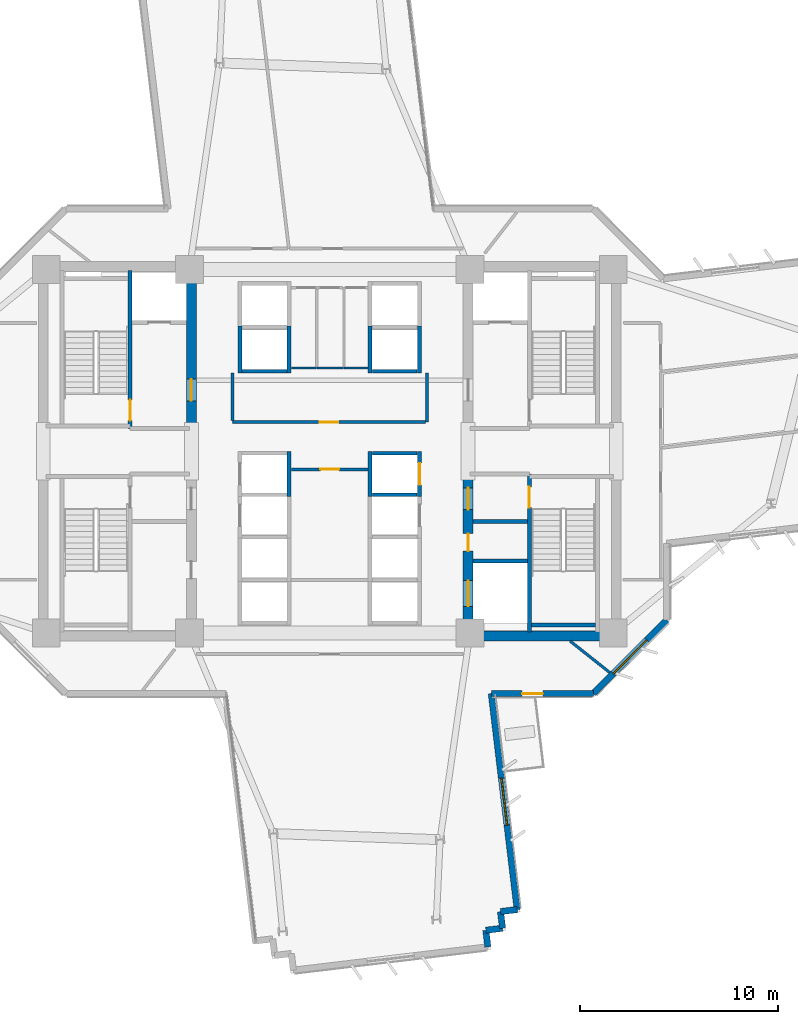
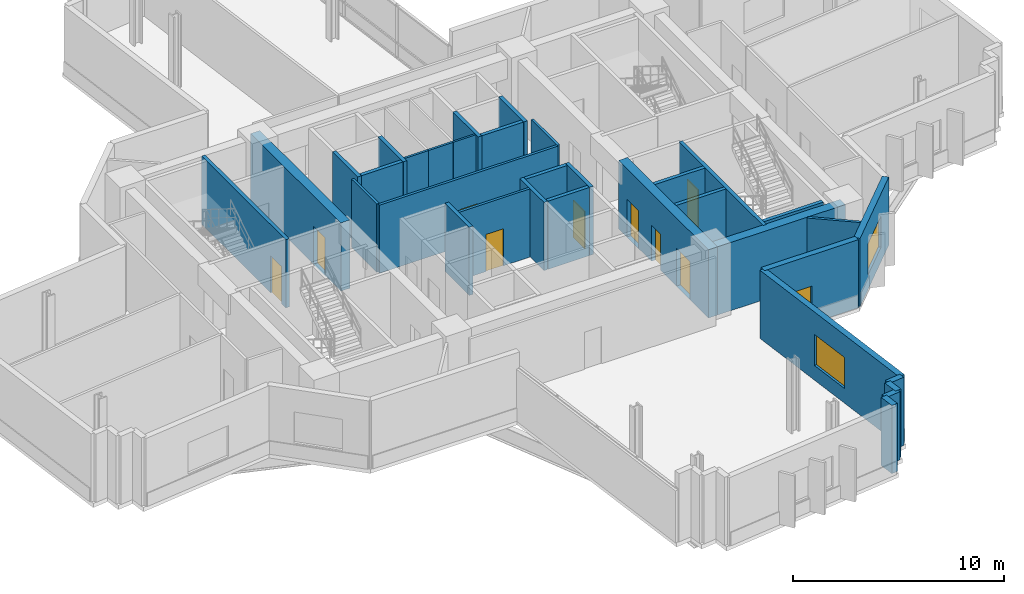
# One storey, part 7 of 15: 34 walls, 10 doors, 2 windows, 12 openings.
"""IFC4 building model written with IfcOpenShell, lengths in metres."""

import ifcopenshell
import ifcopenshell.guid

model = None  # the IFC model being written
_history = None  # IfcOwnerHistory: only IFC2X3 demands one
_inside = {}  # id of a spatial element -> (the spatial element, [elements in it])
_under = {}  # id of a project, library or spatial element -> (it, [spatial elements below it])
_declared = {}  # id of a project -> (the project, [libraries it declares])
_typed = {}  # id of a type object -> (the type object, [elements of that type])
_made_of = {}  # id of a material, layer set ... -> (it, [elements and type objects made of it])


def new_model(schema):
    """Start an empty IFC model of exactly this schema.

    Asked for "IFC4X3", IfcOpenShell would pick the latest addendum, in which some entities
    have other attributes; the version numbers below select the first issue.
    IFC2X3 requires an IfcOwnerHistory on every rooted entity: one is made here for all.
    """
    global model, _history
    if schema == "IFC4X3":
        model = ifcopenshell.file(schema_version=(4, 3, 0, 0))
    else:
        model = ifcopenshell.file(schema=schema)
    _inside.clear()
    _under.clear()
    _declared.clear()
    _typed.clear()
    _made_of.clear()
    _history = None
    if model.schema == "IFC2X3":
        org = make("IfcOrganization", Name="unknown")
        user = make(
            "IfcPersonAndOrganization",
            ThePerson=make("IfcPerson", FamilyName="unknown"),
            TheOrganization=org,
        )
        app = make(
            "IfcApplication",
            ApplicationDeveloper=org,
            Version="unknown",
            ApplicationFullName="unknown",
            ApplicationIdentifier="unknown",
        )
        _history = make(
            "IfcOwnerHistory",
            OwningUser=user,
            OwningApplication=app,
            ChangeAction="ADDED",
            CreationDate=0,
        )
    return model


def make(cls, **values):
    """One entity of the class cls with the attributes given. An attribute that is None is left unset."""
    return model.create_entity(
        cls, **{name: value for name, value in values.items() if value is not None}
    )


def rooted(cls, **values):
    """An entity with a GlobalId (a new one), such as an element, a storey or a relation."""
    return make(cls, GlobalId=ifcopenshell.guid.new(), OwnerHistory=_history, **values)


def si_unit(unit_type, name, prefix=None):
    """IfcSIUnit, for example si_unit("LENGTHUNIT", "METRE", prefix="MILLI")."""
    return make("IfcSIUnit", UnitType=unit_type, Prefix=prefix, Name=name)


def assignment(units):
    """IfcUnitAssignment: the units of a project."""
    return None if units is None else make("IfcUnitAssignment", Units=units)


def point(xyz):
    """IfcCartesianPoint."""
    return None if xyz is None else make("IfcCartesianPoint", Coordinates=xyz)


def direction(xyz):
    """IfcDirection."""
    return None if xyz is None else make("IfcDirection", DirectionRatios=xyz)


def frame(location, z_axis=None, x_axis=None):
    """IfcAxis2Placement3D, a coordinate frame: its origin and axes. An axis left out is left unset."""
    return make(
        "IfcAxis2Placement3D",
        Location=point(location),
        Axis=direction(z_axis),
        RefDirection=direction(x_axis),
    )


def frame_2d(location, x_axis=None):
    """IfcAxis2Placement2D, a coordinate frame in the plane: its origin and x axis."""
    return make(
        "IfcAxis2Placement2D", Location=point(location), RefDirection=direction(x_axis)
    )


def origin():
    """The frame at (0, 0, 0) with its axes left unset."""
    return frame((0.0, 0.0, 0.0))


def place(relative_to, where):
    """IfcLocalPlacement: puts the frame where relative to a parent placement (None: the world)."""
    return make(
        "IfcLocalPlacement", PlacementRelTo=relative_to, RelativePlacement=where
    )


def context(
    kind, dimensions, precision=None, world=None, true_north=None, identifier=None
):
    """IfcGeometricRepresentationContext, for example the 3D "Model" context."""
    return make(
        "IfcGeometricRepresentationContext",
        ContextIdentifier=identifier,
        ContextType=kind,
        CoordinateSpaceDimension=dimensions,
        Precision=precision,
        WorldCoordinateSystem=world,
        TrueNorth=true_north,
    )


def subcontext(parent, identifier, kind, view, scale=None):
    """IfcGeometricRepresentationSubContext, for example "Body" below "Model"."""
    return make(
        "IfcGeometricRepresentationSubContext",
        ContextIdentifier=identifier,
        ContextType=kind,
        ParentContext=parent,
        TargetScale=scale,
        TargetView=view,
    )


def project(units=None, contexts=None):
    """IfcProject with its units and contexts."""
    return rooted(
        "IfcProject",
        Name="project",
        RepresentationContexts=contexts,
        UnitsInContext=assignment(units),
    )


def spatial(cls, under=None, at=None, **own):
    """A site, building, storey or space (cls), placed at a placement, below another one or the project."""
    s = rooted(cls, ObjectPlacement=at, **own)
    if under is not None:
        _under.setdefault(under.id(), (under, []))[1].append(s)
    return s


def profile(cls, at=None, kind="AREA", **sizes):
    """A parametric profile (cls). Its sizes go by their IFC names, for example OverallWidth=200.0."""
    return make(cls, ProfileType=kind, Position=at, **sizes)


def rectangle(**sizes):
    """IfcRectangleProfileDef."""
    return profile("IfcRectangleProfileDef", **sizes)


def extrude(swept, where, along, depth):
    """IfcExtrudedAreaSolid: the profile swept, set in the frame where, extruded along a direction by depth."""
    return make(
        "IfcExtrudedAreaSolid",
        SweptArea=swept,
        Position=where,
        ExtrudedDirection=direction(along),
        Depth=depth,
    )


def shape(context_of_items, identifier, shape_type, items):
    """IfcShapeRepresentation: the items that make up one representation, for example the "Body"."""
    return make(
        "IfcShapeRepresentation",
        ContextOfItems=context_of_items,
        RepresentationIdentifier=identifier,
        RepresentationType=shape_type,
        Items=items,
    )


def source(mapping_origin, context_of_items, identifier, shape_type, items):
    """IfcRepresentationMap: a shape defined once, which mapped items show again and again."""
    return make(
        "IfcRepresentationMap",
        MappingOrigin=mapping_origin,
        MappedRepresentation=shape(context_of_items, identifier, shape_type, items),
    )


def transform(
    local_origin,
    x_axis=None,
    y_axis=None,
    z_axis=None,
    scale=None,
    scale2=None,
    scale3=None,
    uniform=True,
):
    """IfcCartesianTransformationOperator3D, or its non-uniform kind. x_axis, y_axis, z_axis: its Axis1, 2, 3."""
    if uniform:
        return make(
            "IfcCartesianTransformationOperator3D",
            Axis1=direction(x_axis),
            Axis2=direction(y_axis),
            LocalOrigin=point(local_origin),
            Scale=scale,
            Axis3=direction(z_axis),
        )
    return make(
        "IfcCartesianTransformationOperator3DnonUniform",
        Axis1=direction(x_axis),
        Axis2=direction(y_axis),
        LocalOrigin=point(local_origin),
        Scale=scale,
        Axis3=direction(z_axis),
        Scale2=scale2,
        Scale3=scale3,
    )


def mapped(mapping_source, mapping_target):
    """IfcMappedItem: shows the shape of a source again, moved by a transform."""
    return make(
        "IfcMappedItem", MappingSource=mapping_source, MappingTarget=mapping_target
    )


def material(Name=None, Category=None):
    """IfcMaterial."""
    return make("IfcMaterial", Name=Name, Category=Category)


def layer(
    of_material, thickness, ventilated=None, Name=None, Category=None, Priority=None
):
    """IfcMaterialLayer: one layer of a wall or slab, of a material (None: an air gap)."""
    return make(
        "IfcMaterialLayer",
        Material=of_material,
        LayerThickness=thickness,
        IsVentilated=ventilated,
        Name=Name,
        Category=Category,
        Priority=Priority,
    )


def layer_set(layers, Name=None):
    """IfcMaterialLayerSet."""
    return make("IfcMaterialLayerSet", MaterialLayers=layers, LayerSetName=Name)


def made_of(thing, what):
    """Note that an element or type object is made of a material, layer set ...; save() writes the relation."""
    if what is not None:
        _made_of.setdefault(what.id(), (what, []))[1].append(thing)
    return thing


def type_object(cls, material=None, **own):
    """A type object (cls), such as IfcWallType, which elements share."""
    return made_of(rooted(cls, **own), material)


def element(
    cls,
    number,
    at=None,
    inside=None,
    cuts=None,
    type_object=None,
    material=None,
    context=None,
    identifier="Body",
    shape_type=None,
    held_by="IfcProductDefinitionShape",
    body=None,
    shapes=None,
    **own,
):
    """One element of the class cls, such as IfcWall. Its Tag is "e" and its number.

    at: its placement. inside: the storey or other place that contains it. cuts: it is an
    opening in that element (IfcRelVoidsElement). A single representation is given by context,
    identifier, shape_type and body (its items); several are given by shapes. held_by: the class
    of the entity that holds the representations. save() writes the other relations.
    """
    e = rooted(cls, Tag="e%d" % number, ObjectPlacement=at, **own)
    if body is not None:
        shapes = [shape(context, identifier, shape_type, body)]
    if shapes is not None:
        e.Representation = make(held_by, Representations=shapes)
    if inside is not None:
        _inside.setdefault(inside.id(), (inside, []))[1].append(e)
    if cuts is not None:
        rooted(
            "IfcRelVoidsElement", RelatingBuildingElement=cuts, RelatedOpeningElement=e
        )
    if type_object is not None:
        _typed.setdefault(type_object.id(), (type_object, []))[1].append(e)
    return made_of(e, material)


def fill(opening, filler):
    """IfcRelFillsElement: the door or window that sits in an opening."""
    return rooted(
        "IfcRelFillsElement",
        RelatingOpeningElement=opening,
        RelatedBuildingElement=filler,
    )


def aggregate(whole, parts):
    """IfcRelAggregates: a whole, such as a stair, and the parts it consists of."""
    return rooted("IfcRelAggregates", RelatingObject=whole, RelatedObjects=parts)


def save(model, path):
    """Write the relations noted so far, then the file.

    IfcRelAggregates (storeys below a building ...), IfcRelContainedInSpatialStructure (elements
    in a storey), IfcRelDefinesByType, IfcRelAssociatesMaterial and IfcRelDeclares: one each for
    every whole, place, type object, material and project.
    """
    for whole, parts in _under.values():
        aggregate(whole, parts)
    for where, things in _inside.values():
        rooted(
            "IfcRelContainedInSpatialStructure",
            RelatedElements=things,
            RelatingStructure=where,
        )
    for kind, things in _typed.values():
        rooted("IfcRelDefinesByType", RelatedObjects=things, RelatingType=kind)
    for what, things in _made_of.values():
        rooted("IfcRelAssociatesMaterial", RelatedObjects=things, RelatingMaterial=what)
    for by, libraries in _declared.values():
        rooted("IfcRelDeclares", RelatingContext=by, RelatedDefinitions=libraries)
    model.write(path)


model = new_model("IFC4")

# Units and contexts
model_context = context("Model", 3, precision=1e-05, world=origin(), true_north=direction((0.0, 1.0)))
body_context = subcontext(model_context, "Body", "Model", "MODEL_VIEW")
ifc_project = project(units=[si_unit("LENGTHUNIT", "METRE"), si_unit("AREAUNIT", "SQUARE_METRE"), si_unit("VOLUMEUNIT", "CUBIC_METRE"), si_unit("PLANEANGLEUNIT", "RADIAN"), si_unit("MASSUNIT", "GRAM", prefix="KILO")], contexts=[model_context])

# Site, building, storey
site_placement = place(None, origin())
site = spatial("IfcSite", under=ifc_project, at=site_placement, CompositionType="ELEMENT")
building_placement = place(site_placement, origin())
building = spatial("IfcBuilding", under=site, at=building_placement, Name="Zahravan Cultural Tower", CompositionType="ELEMENT")
storey_placement = place(building_placement, frame((0.0, 0.0, 104.699951171875)))
storey = spatial("IfcBuildingStorey", under=building, at=storey_placement, Name="L23", CompositionType="ELEMENT", Elevation=104.699951171875)

# Wall, opening, door
ifc_material_1 = material(Name="Concrete C60/75", Category="concrete")
ifc_layer_1 = layer(ifc_material_1, 0.5)
ifc_layer_set_1 = layer_set([ifc_layer_1], Name="Concrete C60/75")
wall_type_1 = type_object("IfcWallType", Name="CW-SHEAR-500-C60", PredefinedType="SHEAR", material=ifc_layer_set_1)
wall_1_placement = place(storey_placement, frame((29.0, 28.050048828125, 0.0), z_axis=(0.0, 0.0, 1.0), x_axis=(0.0, 1.0, 0.0)))
wall_1 = element("IfcWall", 1, at=wall_1_placement, inside=storey, type_object=wall_type_1, Name="L23 Core Shear Wall CW-W-EN-L23", PredefinedType="SHEAR", context=body_context, shape_type="SweptSolid", body=[
    extrude(rectangle(XDim=8.550048828125, YDim=0.5, at=frame_2d((4.27490234375, 0.0))), origin(), (0.0, 0.0, 1.0), 3.949951171875),
])
opening_1_placement = place(wall_1_placement, frame((1.5, 0.0, 0.0)))
opening_1 = element("IfcOpeningElement", 2, at=opening_1_placement, cuts=wall_1, Name="Opening D-L23-05", PredefinedType="OPENING", context=body_context, shape_type="SweptSolid", body=[
    extrude(rectangle(XDim=1.10009765625, YDim=2.199951171875, at=frame_2d((0.550048828125, 1.10009765625))), frame((0.0, 0.260009765625, 0.0), z_axis=(0.0, -1.0, 0.0), x_axis=(1.0, 0.0, 0.0)), (0.0, 0.0, 1.0), 0.52001953125),
])
ifc_material_2 = material(Name="Steel ASTM A572 Grade 50", Category="steel")
door_type_1 = type_object("IfcDoorType", Name="DR-LOBBY-1100", OperationType="NOTDEFINED", PredefinedType="DOOR", material=ifc_material_2)
shared_shape_1 = source(origin(), body_context, "Body", "SweptSolid", [
    extrude(rectangle(XDim=1.10009765625, YDim=2.199951171875, at=frame_2d((0.550048828125, 1.10009765625))), frame((0.0, 0.02490234375, 0.0), z_axis=(0.0, -1.0, 0.0), x_axis=(1.0, 0.0, 0.0)), (0.0, 0.0, 1.0), 0.050048828125),
])
door_1_placement = place(opening_1_placement, origin())
door_1 = element("IfcDoor", 3, at=door_1_placement, inside=storey, type_object=door_type_1, Name="L23 Door D-L23-05", OperationType="SINGLE_SWING_RIGHT", OverallHeight=2.199951171875, OverallWidth=1.10009765625, PredefinedType="DOOR", context=body_context, shape_type="MappedRepresentation", body=[
    mapped(shared_shape_1, transform((0.0, 0.0, 0.0), x_axis=(1.0, 0.0, 0.0), y_axis=(0.0, 1.0, 0.0), z_axis=(0.0, 0.0, 1.0), scale=1.0)),
])
fill(opening_1, door_1)

# Wall, openings, doors
wall_2_placement = place(storey_placement, frame((43.0, 17.39990234375, 0.0), z_axis=(0.0, 0.0, 1.0), x_axis=(0.0, 1.0, 0.0)))
wall_2 = element("IfcWall", 4, at=wall_2_placement, inside=storey, type_object=wall_type_1, Name="L23 Core Shear Wall CW-E-WS-L23", PredefinedType="SHEAR", context=body_context, shape_type="SweptSolid", body=[
    extrude(rectangle(XDim=8.550048828125, YDim=0.5, at=frame_2d((4.27490234375, 0.0))), origin(), (0.0, 0.0, 1.0), 3.949951171875),
])
opening_2_placement = place(wall_2_placement, frame((6.64990234375, 0.0, 0.0)))
opening_2 = element("IfcOpeningElement", 5, at=opening_2_placement, cuts=wall_2, Name="Opening D-L23-08", PredefinedType="OPENING", context=body_context, shape_type="SweptSolid", body=[
    extrude(rectangle(XDim=1.10009765625, YDim=2.199951171875, at=frame_2d((0.550048828125, 1.10009765625))), frame((0.0, 0.260009765625, 0.0), z_axis=(0.0, -1.0, 0.0), x_axis=(1.0, 0.0, 0.0)), (0.0, 0.0, 1.0), 0.52001953125),
])
opening_3_placement = place(wall_2_placement, frame((1.75, 0.0, 0.0)))
opening_3 = element("IfcOpeningElement", 6, at=opening_3_placement, cuts=wall_2, Name="Opening LD-L23-03", PredefinedType="OPENING", context=body_context, shape_type="SweptSolid", body=[
    extrude(rectangle(XDim=1.300048828125, YDim=2.199951171875, at=frame_2d((0.64990234375, 1.10009765625))), frame((0.0, 0.260009765625, 0.0), z_axis=(0.0, -1.0, 0.0), x_axis=(1.0, 0.0, 0.0)), (0.0, 0.0, 1.0), 0.52001953125),
])
opening_4_placement = place(wall_2_placement, frame((4.550048828125, 0.0, 0.0)))
opening_4 = element("IfcOpeningElement", 7, at=opening_4_placement, cuts=wall_2, Name="Opening D-L23-10", PredefinedType="OPENING", context=body_context, shape_type="SweptSolid", body=[
    extrude(rectangle(XDim=0.8798828125, YDim=2.10009765625, at=frame_2d((0.43994140625, 1.050048828125))), frame((0.0, 0.260009765625, 0.0), z_axis=(0.0, -1.0, 0.0), x_axis=(1.0, 0.0, 0.0)), (0.0, 0.0, 1.0), 0.52001953125),
])
door_2_placement = place(opening_2_placement, origin())
door_2 = element("IfcDoor", 8, at=door_2_placement, inside=storey, type_object=door_type_1, Name="L23 Door D-L23-08", OperationType="SINGLE_SWING_LEFT", OverallHeight=2.199951171875, OverallWidth=1.10009765625, PredefinedType="DOOR", context=body_context, shape_type="MappedRepresentation", body=[
    mapped(shared_shape_1, transform((0.0, 0.0, 0.0), x_axis=(1.0, 0.0, 0.0), y_axis=(0.0, 1.0, 0.0), z_axis=(0.0, 0.0, 1.0), scale=1.0)),
])
fill(opening_2, door_2)
door_type_2 = type_object("IfcDoorType", Name="DR-LIFT-1300", OperationType="DOUBLE_DOOR_SLIDING", PredefinedType="DOOR", material=ifc_material_2)
shared_shape_2 = source(origin(), body_context, "Body", "SweptSolid", [
    extrude(rectangle(XDim=1.300048828125, YDim=2.199951171875, at=frame_2d((0.64990234375, 1.10009765625))), frame((0.0, 0.02490234375, 0.0), z_axis=(0.0, -1.0, 0.0), x_axis=(1.0, 0.0, 0.0)), (0.0, 0.0, 1.0), 0.050048828125),
])
door_3_placement = place(opening_3_placement, origin())
door_3 = element("IfcDoor", 9, at=door_3_placement, inside=storey, type_object=door_type_2, Name="L23 Door LD-L23-03", OperationType="DOUBLE_DOOR_SLIDING", OverallHeight=2.199951171875, OverallWidth=1.300048828125, PredefinedType="DOOR", context=body_context, shape_type="MappedRepresentation", body=[
    mapped(shared_shape_2, transform((0.0, 0.0, 0.0), x_axis=(1.0, 0.0, 0.0), y_axis=(0.0, 1.0, 0.0), z_axis=(0.0, 0.0, 1.0), scale=1.0)),
])
fill(opening_3, door_3)
door_type_3 = type_object("IfcDoorType", Name="DR-SVC-880", OperationType="NOTDEFINED", PredefinedType="DOOR", material=ifc_material_2)
shared_shape_3 = source(origin(), body_context, "Body", "SweptSolid", [
    extrude(rectangle(XDim=0.8798828125, YDim=2.10009765625, at=frame_2d((0.43994140625, 1.050048828125))), frame((0.0, 0.02490234375, 0.0), z_axis=(0.0, -1.0, 0.0), x_axis=(1.0, 0.0, 0.0)), (0.0, 0.0, 1.0), 0.050048828125),
])
door_4_placement = place(opening_4_placement, origin())
door_4 = element("IfcDoor", 10, at=door_4_placement, inside=storey, type_object=door_type_3, Name="L23 Door D-L23-10", OperationType="SINGLE_SWING_LEFT", OverallHeight=2.10009765625, OverallWidth=0.8798828125, PredefinedType="DOOR", context=body_context, shape_type="MappedRepresentation", body=[
    mapped(shared_shape_3, transform((0.0, 0.0, 0.0), x_axis=(1.0, 0.0, 0.0), y_axis=(0.0, 1.0, 0.0), z_axis=(0.0, 0.0, 1.0), scale=1.0)),
])
fill(opening_4, door_4)

# Wall, opening, window
ifc_material_3 = material(Name="Precast concrete C40/50", Category="concrete")
ifc_layer_2 = layer(ifc_material_3, 0.320068359375)
ifc_layer_set_2 = layer_set([ifc_layer_2], Name="Precast concrete C40/50")
wall_type_2 = type_object("IfcWallType", Name="EW-TC-320", PredefinedType="SOLIDWALL", material=ifc_layer_set_2)
wall_3_placement = place(storey_placement, frame((53.06005859375, 18.4580078125, 0.0), z_axis=(0.0, 0.0, 1.0), x_axis=(-0.707106781187, -0.707106781187, 0.0)))
wall_3 = element("IfcWall", 11, at=wall_3_placement, inside=storey, type_object=wall_type_2, Name="L23 Exterior Masonry Frame Wall 13", PredefinedType="SOLIDWALL", context=body_context, shape_type="SweptSolid", body=[
    extrude(rectangle(XDim=5.258056640625, YDim=0.320068359375, at=frame_2d((2.62890625, 0.0))), origin(), (0.0, 0.0, 1.0), 3.949951171875),
])
opening_5_placement = place(wall_3_placement, frame((1.428955078125, 0.0, 0.85009765625)))
opening_5 = element("IfcOpeningElement", 12, at=opening_5_placement, cuts=wall_3, Name="Opening WN-01", PredefinedType="OPENING", context=body_context, shape_type="SweptSolid", body=[
    extrude(rectangle(XDim=2.39990234375, YDim=1.800048828125, at=frame_2d((1.199951171875, 0.89990234375))), frame((0.0, 0.169921875, 0.0), z_axis=(0.0, -1.0, 0.0), x_axis=(1.0, 0.0, 0.0)), (0.0, 0.0, 1.0), 0.340087890625),
])
ifc_material_4 = material(Name="Low-E solar-control double glazing", Category="glass")
window_type = type_object("IfcWindowType", Name="WN-REC-2400X1800", PartitioningType="DOUBLE_PANEL_VERTICAL", PredefinedType="WINDOW", material=ifc_material_4)
shared_shape_4 = source(origin(), body_context, "Body", "SweptSolid", [
    extrude(rectangle(XDim=2.39990234375, YDim=1.800048828125, at=frame_2d((1.199951171875, 0.89990234375))), frame((0.0, 0.030029296875, 0.0), z_axis=(0.0, -1.0, 0.0), x_axis=(1.0, 0.0, 0.0)), (0.0, 0.0, 1.0), 0.06005859375),
])
window_1_placement = place(opening_5_placement, origin())
window_1 = element("IfcWindow", 13, at=window_1_placement, inside=storey, type_object=window_type, Name="L23 Recessed Solar Window 04", OverallHeight=1.800048828125, OverallWidth=2.39990234375, PartitioningType="DOUBLE_PANEL_VERTICAL", PredefinedType="WINDOW", context=body_context, shape_type="MappedRepresentation", body=[
    mapped(shared_shape_4, transform((0.0, 0.0, 0.0), x_axis=(1.0, 0.0, 0.0), y_axis=(0.0, 1.0, 0.0), z_axis=(0.0, 0.0, 1.0), scale=1.0)),
])
fill(opening_5, window_1)

# Wall, opening, door
wall_4_placement = place(storey_placement, frame((49.342041015625, 14.739990234375, 0.0), z_axis=(0.0, 0.0, 1.0), x_axis=(-1.0, 0.0, 0.0)))
wall_4 = element("IfcWall", 14, at=wall_4_placement, inside=storey, type_object=wall_type_2, Name="L23 Exterior Masonry Frame Wall 14", PredefinedType="SOLIDWALL", context=body_context, shape_type="SweptSolid", body=[
    extrude(rectangle(XDim=5.16357421875, YDim=0.320068359375, at=frame_2d((2.581787109375, 0.0))), origin(), (0.0, 0.0, 1.0), 3.949951171875),
])
opening_6_placement = place(wall_4_placement, frame((2.550048828125, 0.0, 0.0)))
opening_6 = element("IfcOpeningElement", 15, at=opening_6_placement, cuts=wall_4, Name="Opening D-L23-TR-SE", PredefinedType="OPENING", context=body_context, shape_type="SweptSolid", body=[
    extrude(rectangle(XDim=1.050048828125, YDim=2.14990234375, at=frame_2d((0.52490234375, 1.074951171875))), frame((0.0, 0.169921875, 0.0), z_axis=(0.0, -1.0, 0.0), x_axis=(1.0, 0.0, 0.0)), (0.0, 0.0, 1.0), 0.340087890625),
])
ifc_material_5 = material(Name="Anodised bronze-aluminium mullion", Category="aluminium")
door_type_4 = type_object("IfcDoorType", Name="DR-TERR-1050", OperationType="NOTDEFINED", PredefinedType="DOOR", material=ifc_material_5)
shared_shape_5 = source(origin(), body_context, "Body", "SweptSolid", [
    extrude(rectangle(XDim=1.050048828125, YDim=2.14990234375, at=frame_2d((0.52490234375, 1.074951171875))), frame((0.0, 0.02490234375, 0.0), z_axis=(0.0, -1.0, 0.0), x_axis=(1.0, 0.0, 0.0)), (0.0, 0.0, 1.0), 0.050048828125),
])
door_5_placement = place(opening_6_placement, origin())
door_5 = element("IfcDoor", 16, at=door_5_placement, inside=storey, type_object=door_type_4, Name="L23 Terrace Access Door SE", OperationType="SINGLE_SWING_RIGHT", OverallHeight=2.14990234375, OverallWidth=1.050048828125, PredefinedType="DOOR", context=body_context, shape_type="MappedRepresentation", body=[
    mapped(shared_shape_5, transform((0.0, 0.0, 0.0), x_axis=(1.0, 0.0, 0.0), y_axis=(0.0, 1.0, 0.0), z_axis=(0.0, 0.0, 1.0), scale=1.0)),
])
fill(opening_6, door_5)

# Wall, opening, window
wall_5_placement = place(storey_placement, frame((44.178466796875, 14.739990234375, 0.0), z_axis=(0.0, 0.0, 1.0), x_axis=(0.119086653457, -0.992883864794, 0.0)))
wall_5 = element("IfcWall", 17, at=wall_5_placement, inside=storey, type_object=wall_type_2, Name="L23 Exterior Masonry Frame Wall 15", PredefinedType="SOLIDWALL", context=body_context, shape_type="SweptSolid", body=[
    extrude(rectangle(XDim=11.01318359375, YDim=0.320068359375, at=frame_2d((5.506591796875, 0.0))), origin(), (0.0, 0.0, 1.0), 3.949951171875),
])
opening_7_placement = place(wall_5_placement, frame((4.306884765625, 0.0, 0.85009765625)))
opening_7 = element("IfcOpeningElement", 18, at=opening_7_placement, cuts=wall_5, Name="Opening WN-01", PredefinedType="OPENING", context=body_context, shape_type="SweptSolid", body=[
    extrude(rectangle(XDim=2.39990234375, YDim=1.800048828125, at=frame_2d((1.199951171875, 0.89990234375))), frame((0.0, 0.169921875, 0.0), z_axis=(0.0, -1.0, 0.0), x_axis=(1.0, 0.0, 0.0)), (0.0, 0.0, 1.0), 0.340087890625),
])
window_2_placement = place(opening_7_placement, origin())
window_2 = element("IfcWindow", 19, at=window_2_placement, inside=storey, type_object=window_type, Name="L23 Recessed Solar Window 05", OverallHeight=1.800048828125, OverallWidth=2.39990234375, PartitioningType="DOUBLE_PANEL_VERTICAL", PredefinedType="WINDOW", context=body_context, shape_type="MappedRepresentation", body=[
    mapped(shared_shape_4, transform((0.0, 0.0, 0.0), x_axis=(1.0, 0.0, 0.0), y_axis=(0.0, 1.0, 0.0), z_axis=(0.0, 0.0, 1.0), scale=1.0)),
])
fill(opening_7, window_2)

# Wall, opening, door
ifc_material_6 = material(Name="Gypsum plasterboard partition")
ifc_layer_3 = layer(ifc_material_6, 0.139892578125)
ifc_layer_set_3 = layer_set([ifc_layer_3], Name="Gypsum plasterboard partition")
wall_type_3 = type_object("IfcWallType", Name="W-PART-140", PredefinedType="PARTITIONING", material=ifc_layer_set_3)
wall_6_placement = place(storey_placement, frame((34.054931640625, 26.080078125, 0.0), z_axis=(0.0, 0.0, 1.0), x_axis=(1.0, 0.0, 0.0)))
wall_6 = element("IfcWall", 20, at=wall_6_placement, inside=storey, type_object=wall_type_3, Name="L23 Interior Wall 074", PredefinedType="PARTITIONING", context=body_context, shape_type="SweptSolid", body=[
    extrude(rectangle(XDim=3.89013671875, YDim=0.139892578125, at=frame_2d((1.945068359375, 0.0))), origin(), (0.0, 0.0, 1.0), 3.949951171875),
])
opening_8_placement = place(wall_6_placement, frame((1.469970703125, 0.0, 0.0)))
opening_8 = element("IfcOpeningElement", 21, at=opening_8_placement, cuts=wall_6, Name="Opening D-L23-14", PredefinedType="OPENING", context=body_context, shape_type="SweptSolid", body=[
    extrude(rectangle(XDim=0.949951171875, YDim=2.14990234375, at=frame_2d((0.47509765625, 1.074951171875))), frame((0.0, 0.079833984375, 0.0), z_axis=(0.0, -1.0, 0.0), x_axis=(1.0, 0.0, 0.0)), (0.0, 0.0, 1.0), 0.159912109375),
])
door_type_5 = type_object("IfcDoorType", Name="DR-ROOM-950", OperationType="NOTDEFINED", PredefinedType="DOOR", material=ifc_material_5)
shared_shape_6 = source(origin(), body_context, "Body", "SweptSolid", [
    extrude(rectangle(XDim=0.949951171875, YDim=2.14990234375, at=frame_2d((0.47509765625, 1.074951171875))), frame((0.0, 0.02490234375, 0.0), z_axis=(0.0, -1.0, 0.0), x_axis=(1.0, 0.0, 0.0)), (0.0, 0.0, 1.0), 0.050048828125),
])
door_6_placement = place(opening_8_placement, origin())
door_6 = element("IfcDoor", 22, at=door_6_placement, inside=storey, type_object=door_type_5, Name="L23 Door D-L23-14", OperationType="SINGLE_SWING_LEFT", OverallHeight=2.14990234375, OverallWidth=0.949951171875, PredefinedType="DOOR", context=body_context, shape_type="MappedRepresentation", body=[
    mapped(shared_shape_6, transform((0.0, 0.0, 0.0), x_axis=(1.0, 0.0, 0.0), y_axis=(0.0, 1.0, 0.0), z_axis=(0.0, 0.0, 1.0), scale=1.0)),
])
fill(opening_8, door_6)

wall_7_placement = place(storey_placement, frame((40.844970703125, 28.47998046875, 0.0), z_axis=(0.0, 0.0, 1.0), x_axis=(-1.0, 0.0, 0.0)))
wall_7 = element("IfcWall", 23, at=wall_7_placement, inside=storey, type_object=wall_type_3, Name="L23 Interior Wall 077", PredefinedType="PARTITIONING", context=body_context, shape_type="SweptSolid", body=[
    extrude(rectangle(XDim=9.764892578125, YDim=0.139892578125, at=frame_2d((4.88232421875, 0.0))), origin(), (0.0, 0.0, 1.0), 3.949951171875),
])
opening_9_placement = place(wall_7_placement, frame((4.407470703125, 0.0, 0.0)))
opening_9 = element("IfcOpeningElement", 24, at=opening_9_placement, cuts=wall_7, Name="Opening D-L23-15", PredefinedType="OPENING", context=body_context, shape_type="SweptSolid", body=[
    extrude(rectangle(XDim=0.949951171875, YDim=2.14990234375, at=frame_2d((0.47509765625, 1.074951171875))), frame((0.0, 0.079833984375, 0.0), z_axis=(0.0, -1.0, 0.0), x_axis=(1.0, 0.0, 0.0)), (0.0, 0.0, 1.0), 0.159912109375),
])
door_7_placement = place(opening_9_placement, origin())
door_7 = element("IfcDoor", 25, at=door_7_placement, inside=storey, type_object=door_type_5, Name="L23 Door D-L23-15", OperationType="SINGLE_SWING_RIGHT", OverallHeight=2.14990234375, OverallWidth=0.949951171875, PredefinedType="DOOR", context=body_context, shape_type="MappedRepresentation", body=[
    mapped(shared_shape_6, transform((0.0, 0.0, 0.0), x_axis=(1.0, 0.0, 0.0), y_axis=(0.0, 1.0, 0.0), z_axis=(0.0, 0.0, 1.0), scale=1.0)),
])
fill(opening_9, door_7)

ifc_material_7 = material(Name="Concrete C45/55", Category="concrete")
ifc_layer_4 = layer(ifc_material_7, 0.199951171875)
ifc_layer_set_4 = layer_set([ifc_layer_4], Name="Concrete C45/55")
wall_type_4 = type_object("IfcWallType", Name="W-SHAFT-200", PredefinedType="SOLIDWALL", material=ifc_layer_set_4)
wall_8_placement = place(storey_placement, frame((25.89990234375, 28.14990234375, 0.0), z_axis=(0.0, 0.0, 1.0), x_axis=(0.0, 1.0, 0.0)))
wall_8 = element("IfcWall", 26, at=wall_8_placement, inside=storey, type_object=wall_type_4, Name="L23 Interior Wall 006", PredefinedType="SOLIDWALL", context=body_context, shape_type="SweptSolid", body=[
    extrude(rectangle(XDim=8.0, YDim=0.199951171875, at=frame_2d((4.0, 0.0))), origin(), (0.0, 0.0, 1.0), 3.949951171875),
])
opening_10_placement = place(wall_8_placement, frame((0.39990234375, 0.0, 0.0)))
opening_10 = element("IfcOpeningElement", 27, at=opening_10_placement, cuts=wall_8, Name="Opening D-L23-01", PredefinedType="OPENING", context=body_context, shape_type="SweptSolid", body=[
    extrude(rectangle(XDim=1.050048828125, YDim=2.14990234375, at=frame_2d((0.52490234375, 1.074951171875))), frame((0.0, 0.10986328125, 0.0), z_axis=(0.0, -1.0, 0.0), x_axis=(1.0, 0.0, 0.0)), (0.0, 0.0, 1.0), 0.219970703125),
])
door_type_6 = type_object("IfcDoorType", Name="DR-STAIR-1050", OperationType="NOTDEFINED", PredefinedType="DOOR", material=ifc_material_2)
door_8_placement = place(opening_10_placement, origin())
door_8 = element("IfcDoor", 28, at=door_8_placement, inside=storey, type_object=door_type_6, Name="L23 Door D-L23-01", OperationType="SINGLE_SWING_RIGHT", OverallHeight=2.14990234375, OverallWidth=1.050048828125, PredefinedType="DOOR", context=body_context, shape_type="MappedRepresentation", body=[
    mapped(shared_shape_5, transform((0.0, 0.0, 0.0), x_axis=(1.0, 0.0, 0.0), y_axis=(0.0, 1.0, 0.0), z_axis=(0.0, 0.0, 1.0), scale=1.0)),
])
fill(opening_10, door_8)

wall_9_placement = place(storey_placement, frame((46.10009765625, 17.85009765625, 0.0), z_axis=(0.0, 0.0, 1.0), x_axis=(0.0, 1.0, 0.0)))
wall_9 = element("IfcWall", 29, at=wall_9_placement, inside=storey, type_object=wall_type_4, Name="L23 Interior Wall 007", PredefinedType="SOLIDWALL", context=body_context, shape_type="SweptSolid", body=[
    extrude(rectangle(XDim=8.0, YDim=0.199951171875, at=frame_2d((4.0, 0.0))), origin(), (0.0, 0.0, 1.0), 3.949951171875),
])
opening_11_placement = place(wall_9_placement, frame((6.300048828125, 0.0, 0.0)))
opening_11 = element("IfcOpeningElement", 30, at=opening_11_placement, cuts=wall_9, Name="Opening D-L23-03", PredefinedType="OPENING", context=body_context, shape_type="SweptSolid", body=[
    extrude(rectangle(XDim=1.050048828125, YDim=2.14990234375, at=frame_2d((0.52490234375, 1.074951171875))), frame((0.0, 0.10986328125, 0.0), z_axis=(0.0, -1.0, 0.0), x_axis=(1.0, 0.0, 0.0)), (0.0, 0.0, 1.0), 0.219970703125),
])
door_9_placement = place(opening_11_placement, origin())
door_9 = element("IfcDoor", 31, at=door_9_placement, inside=storey, type_object=door_type_6, Name="L23 Door D-L23-03", OperationType="SINGLE_SWING_RIGHT", OverallHeight=2.14990234375, OverallWidth=1.050048828125, PredefinedType="DOOR", context=body_context, shape_type="MappedRepresentation", body=[
    mapped(shared_shape_5, transform((0.0, 0.0, 0.0), x_axis=(1.0, 0.0, 0.0), y_axis=(0.0, 1.0, 0.0), z_axis=(0.0, 0.0, 1.0), scale=1.0)),
])
fill(opening_11, door_9)

wall_10_placement = place(storey_placement, frame((40.550048828125, 24.699951171875, 0.0), z_axis=(0.0, 0.0, 1.0), x_axis=(0.0, 1.0, 0.0)))
wall_10 = element("IfcWall", 32, at=wall_10_placement, inside=storey, type_object=wall_type_4, Name="L23 Interior Wall 061", PredefinedType="SOLIDWALL", context=body_context, shape_type="SweptSolid", body=[
    extrude(rectangle(XDim=2.300048828125, YDim=0.199951171875, at=frame_2d((1.14990234375, 0.0))), origin(), (0.0, 0.0, 1.0), 3.949951171875),
])
opening_12_placement = place(wall_10_placement, frame((0.60009765625, 0.0, 0.0)))
opening_12 = element("IfcOpeningElement", 33, at=opening_12_placement, cuts=wall_10, Name="Opening LD-L23-06", PredefinedType="OPENING", context=body_context, shape_type="SweptSolid", body=[
    extrude(rectangle(XDim=1.10009765625, YDim=2.14990234375, at=frame_2d((0.550048828125, 1.074951171875))), frame((0.0, 0.10986328125, 0.0), z_axis=(0.0, -1.0, 0.0), x_axis=(1.0, 0.0, 0.0)), (0.0, 0.0, 1.0), 0.219970703125),
])
door_type_7 = type_object("IfcDoorType", Name="DR-LIFT-1100", OperationType="DOUBLE_DOOR_SLIDING", PredefinedType="DOOR", material=ifc_material_2)
shared_shape_7 = source(origin(), body_context, "Body", "SweptSolid", [
    extrude(rectangle(XDim=1.10009765625, YDim=2.14990234375, at=frame_2d((0.550048828125, 1.074951171875))), frame((0.0, 0.02490234375, 0.0), z_axis=(0.0, -1.0, 0.0), x_axis=(1.0, 0.0, 0.0)), (0.0, 0.0, 1.0), 0.050048828125),
])
door_10_placement = place(opening_12_placement, origin())
door_10 = element("IfcDoor", 34, at=door_10_placement, inside=storey, type_object=door_type_7, Name="L23 Door LD-L23-06", OperationType="DOUBLE_DOOR_SLIDING", OverallHeight=2.14990234375, OverallWidth=1.10009765625, PredefinedType="DOOR", context=body_context, shape_type="MappedRepresentation", body=[
    mapped(shared_shape_7, transform((0.0, 0.0, 0.0), x_axis=(1.0, 0.0, 0.0), y_axis=(0.0, 1.0, 0.0), z_axis=(0.0, 0.0, 1.0), scale=1.0)),
])
fill(opening_12, door_10)

# Walls
shared_shape_8 = source(origin(), body_context, "Body", "SweptSolid", [
    extrude(rectangle(XDim=7.0, YDim=0.5, at=frame_2d((3.5, 0.0))), origin(), (0.0, 0.0, 1.0), 3.949951171875),
])
wall_11_placement = place(storey_placement, frame((43.25, 17.64990234375, 0.0), z_axis=(0.0, 0.0, 1.0), x_axis=(1.0, 0.0, 0.0)))
element("IfcWall", 35, at=wall_11_placement, inside=storey, type_object=wall_type_1, Name="L23 Core Shear Wall CW-E-S-L23", PredefinedType="SHEAR", context=body_context, shape_type="MappedRepresentation", body=[
    mapped(shared_shape_8, transform((0.0, 0.0, 0.0), x_axis=(1.0, 0.0, 0.0), y_axis=(0.0, 1.0, 0.0), z_axis=(0.0, 0.0, 1.0), scale=1.0)),
])
shared_shape_9 = source(origin(), body_context, "Body", "SweptSolid", [
    extrude(rectangle(XDim=0.85009765625, YDim=0.320068359375, at=frame_2d((0.425048828125, 0.0))), origin(), (0.0, 0.0, 1.0), 3.949951171875),
])
for number, where, z_axis, x_axis, name in (
    (36, (45.489990234375, 3.80517578125, 0.0), (0.0, 0.0, 1.0), (-0.992871401376, -0.119190521137, 0.0), "L23 Exterior Masonry Frame Wall 16"),
    (37, (44.64599609375, 3.703857421875, 0.0), (0.0, 0.0, 1.0), (0.119190521137, -0.992871401376, 0.0), "L23 Exterior Masonry Frame Wall 17"),
    (38, (44.747314453125, 2.85986328125, 0.0), (0.0, 0.0, 1.0), (-0.992905350382, -0.118907380694, 0.0), "L23 Exterior Masonry Frame Wall 18"),
    (39, (43.9033203125, 2.7587890625, 0.0), (0.0, 0.0, 1.0), (0.118907380694, -0.992905350382, 0.0), "L23 Exterior Masonry Frame Wall 19"),
):
    element("IfcWall", number, at=place(storey_placement, frame(where, z_axis=z_axis, x_axis=x_axis)), inside=storey, type_object=wall_type_2, Name=name, PredefinedType="SOLIDWALL", context=body_context, shape_type="MappedRepresentation", body=[
        mapped(shared_shape_9, transform((0.0, 0.0, 0.0), x_axis=(1.0, 0.0, 0.0), y_axis=(0.0, 1.0, 0.0), z_axis=(0.0, 0.0, 1.0), scale=1.0)),
    ])
shared_shape_10 = source(origin(), body_context, "Body", "SweptSolid", [
    extrude(rectangle(XDim=3.25, YDim=0.199951171875, at=frame_2d((1.625, 0.0))), origin(), (0.0, 0.0, 1.0), 3.949951171875),
])
wall_12_placement = place(storey_placement, frame((46.199951171875, 18.199951171875, 0.0), z_axis=(0.0, 0.0, 1.0), x_axis=(1.0, 0.0, 0.0)))
element("IfcWall", 40, at=wall_12_placement, inside=storey, type_object=wall_type_4, Name="L23 Interior Wall 020", PredefinedType="SOLIDWALL", context=body_context, shape_type="MappedRepresentation", body=[
    mapped(shared_shape_10, transform((0.0, 0.0, 0.0), x_axis=(1.0, 0.0, 0.0), y_axis=(0.0, 1.0, 0.0), z_axis=(0.0, 0.0, 1.0), scale=1.0)),
])
shared_shape_11 = source(origin(), body_context, "Body", "SweptSolid", [
    extrude(rectangle(XDim=2.75, YDim=0.199951171875, at=frame_2d((1.375, 0.0))), origin(), (0.0, 0.0, 1.0), 3.949951171875),
])
for number, where, z_axis, x_axis, name in (
    (41, (43.25, 23.449951171875, 0.0), (0.0, 0.0, 1.0), (1.0, 0.0, 0.0), "L23 Interior Wall 024"),
    (42, (43.25, 21.449951171875, 0.0), (0.0, 0.0, 1.0), (1.0, 0.0, 0.0), "L23 Interior Wall 025"),
):
    element("IfcWall", number, at=place(storey_placement, frame(where, z_axis=z_axis, x_axis=x_axis)), inside=storey, type_object=wall_type_4, Name=name, PredefinedType="SOLIDWALL", context=body_context, shape_type="MappedRepresentation", body=[
        mapped(shared_shape_11, transform((0.0, 0.0, 0.0), x_axis=(1.0, 0.0, 0.0), y_axis=(0.0, 1.0, 0.0), z_axis=(0.0, 0.0, 1.0), scale=1.0)),
    ])
shared_shape_12 = source(origin(), body_context, "Body", "SweptSolid", [
    extrude(rectangle(XDim=2.400146484375, YDim=0.199951171875, at=frame_2d((1.2001953125, 0.0))), origin(), (0.0, 0.0, 1.0), 3.949951171875),
])
for number, where, z_axis, x_axis, name in (
    (43, (31.449951171875, 30.949951171875, 0.0), (0.0, 0.0, 1.0), (0.0, 1.0, 0.0), "L23 Interior Wall 030"),
    (44, (33.949951171875, 30.949951171875, 0.0), (0.0, 0.0, 1.0), (0.0, 1.0, 0.0), "L23 Interior Wall 031"),
    (45, (38.050048828125, 30.949951171875, 0.0), (0.0, 0.0, 1.0), (0.0, 1.0, 0.0), "L23 Interior Wall 037"),
    (46, (40.550048828125, 30.949951171875, 0.0), (0.0, 0.0, 1.0), (0.0, 1.0, 0.0), "L23 Interior Wall 038"),
):
    element("IfcWall", number, at=place(storey_placement, frame(where, z_axis=z_axis, x_axis=x_axis)), inside=storey, type_object=wall_type_4, Name=name, PredefinedType="SOLIDWALL", context=body_context, shape_type="MappedRepresentation", body=[
        mapped(shared_shape_12, transform((0.0, 0.0, 0.0), x_axis=(1.0, 0.0, 0.0), y_axis=(0.0, 1.0, 0.0), z_axis=(0.0, 0.0, 1.0), scale=1.0)),
    ])
shared_shape_13 = source(origin(), body_context, "Body", "SweptSolid", [
    extrude(rectangle(XDim=2.260009765625, YDim=0.199951171875, at=frame_2d((1.1298828125, 0.0))), origin(), (0.0, 0.0, 1.0), 3.949951171875),
])
for number, where, z_axis, x_axis, name in (
    (47, (31.570068359375, 31.050048828125, 0.0), (0.0, 0.0, 1.0), (1.0, 0.0, 0.0), "L23 Interior Wall 032"),
    (48, (38.169921875, 31.050048828125, 0.0), (0.0, 0.0, 1.0), (1.0, 0.0, 0.0), "L23 Interior Wall 039"),
    (49, (38.169921875, 24.800048828125, 0.0), (0.0, 0.0, 1.0), (1.0, 0.0, 0.0), "L23 Interior Wall 062"),
    (50, (38.169921875, 26.89990234375, 0.0), (0.0, 0.0, 1.0), (1.0, 0.0, 0.0), "L23 Interior Wall 063"),
):
    element("IfcWall", number, at=place(storey_placement, frame(where, z_axis=z_axis, x_axis=x_axis)), inside=storey, type_object=wall_type_4, Name=name, PredefinedType="SOLIDWALL", context=body_context, shape_type="MappedRepresentation", body=[
        mapped(shared_shape_13, transform((0.0, 0.0, 0.0), x_axis=(1.0, 0.0, 0.0), y_axis=(0.0, 1.0, 0.0), z_axis=(0.0, 0.0, 1.0), scale=1.0)),
    ])
shared_shape_14 = source(origin(), body_context, "Body", "SweptSolid", [
    extrude(rectangle(XDim=2.300048828125, YDim=0.199951171875, at=frame_2d((1.14990234375, 0.0))), origin(), (0.0, 0.0, 1.0), 3.949951171875),
])
for number, where, z_axis, x_axis, name in (
    (51, (33.949951171875, 24.699951171875, 0.0), (0.0, 0.0, 1.0), (0.0, 1.0, 0.0), "L23 Interior Wall 055"),
    (52, (38.050048828125, 24.699951171875, 0.0), (0.0, 0.0, 1.0), (0.0, 1.0, 0.0), "L23 Interior Wall 060"),
):
    element("IfcWall", number, at=place(storey_placement, frame(where, z_axis=z_axis, x_axis=x_axis)), inside=storey, type_object=wall_type_4, Name=name, PredefinedType="SOLIDWALL", context=body_context, shape_type="MappedRepresentation", body=[
        mapped(shared_shape_14, transform((0.0, 0.0, 0.0), x_axis=(1.0, 0.0, 0.0), y_axis=(0.0, 1.0, 0.0), z_axis=(0.0, 0.0, 1.0), scale=1.0)),
    ])
ifc_layer_5 = layer(ifc_material_6, 0.114990234375)
ifc_layer_set_5 = layer_set([ifc_layer_5], Name="Gypsum plasterboard partition")
wall_type_5 = type_object("IfcWallType", Name="W-WC-115", PredefinedType="PARTITIONING", material=ifc_layer_set_5)
shared_shape_15 = source(origin(), body_context, "Body", "SweptSolid", [
    extrude(rectangle(XDim=1.22509765625, YDim=0.114990234375, at=frame_2d((0.612548828125, 0.0))), origin(), (0.0, 0.0, 1.0), 3.949951171875),
])
wall_13_placement = place(storey_placement, frame((37.945068359375, 31.219970703125, 0.0), z_axis=(0.0, 0.0, 1.0), x_axis=(-1.0, 0.0, 0.0)))
element("IfcWall", 53, at=wall_13_placement, inside=storey, type_object=wall_type_5, Name="L23 Interior Wall 066", PredefinedType="PARTITIONING", context=body_context, shape_type="MappedRepresentation", body=[
    mapped(shared_shape_15, transform((0.0, 0.0, 0.0), x_axis=(1.0, 0.0, 0.0), y_axis=(0.0, 1.0, 0.0), z_axis=(0.0, 0.0, 1.0), scale=1.0)),
])
shared_shape_16 = source(origin(), body_context, "Body", "SweptSolid", [
    extrude(rectangle(XDim=1.28515625, YDim=0.114990234375, at=frame_2d((0.642578125, 0.0))), origin(), (0.0, 0.0, 1.0), 3.949951171875),
])
wall_14_placement = place(storey_placement, frame((35.340087890625, 31.219970703125, 0.0), z_axis=(0.0, 0.0, 1.0), x_axis=(-1.0, 0.0, 0.0)))
element("IfcWall", 54, at=wall_14_placement, inside=storey, type_object=wall_type_5, Name="L23 Interior Wall 069", PredefinedType="PARTITIONING", context=body_context, shape_type="MappedRepresentation", body=[
    mapped(shared_shape_16, transform((0.0, 0.0, 0.0), x_axis=(1.0, 0.0, 0.0), y_axis=(0.0, 1.0, 0.0), z_axis=(0.0, 0.0, 1.0), scale=1.0)),
])
shared_shape_17 = source(origin(), body_context, "Body", "SweptSolid", [
    extrude(rectangle(XDim=1.33984375, YDim=0.114990234375, at=frame_2d((0.669921875, 0.0))), origin(), (0.0, 0.0, 1.0), 3.949951171875),
])
wall_15_placement = place(storey_placement, frame((36.699951171875, 31.219970703125, 0.0), z_axis=(0.0, 0.0, 1.0), x_axis=(-1.0, 0.0, 0.0)))
element("IfcWall", 55, at=wall_15_placement, inside=storey, type_object=wall_type_5, Name="L23 Interior Wall 072", PredefinedType="PARTITIONING", context=body_context, shape_type="MappedRepresentation", body=[
    mapped(shared_shape_17, transform((0.0, 0.0, 0.0), x_axis=(1.0, 0.0, 0.0), y_axis=(0.0, 1.0, 0.0), z_axis=(0.0, 0.0, 1.0), scale=1.0)),
])
shared_shape_18 = source(origin(), body_context, "Body", "SweptSolid", [
    extrude(rectangle(XDim=2.469970703125, YDim=0.139892578125, at=frame_2d((1.23486328125, 0.0))), origin(), (0.0, 0.0, 1.0), 3.949951171875),
])
wall_16_placement = place(storey_placement, frame((40.919921875, 30.949951171875, 0.0), z_axis=(0.0, 0.0, 1.0), x_axis=(0.0, -1.0, 0.0)))
element("IfcWall", 56, at=wall_16_placement, inside=storey, type_object=wall_type_3, Name="L23 Interior Wall 076", PredefinedType="PARTITIONING", context=body_context, shape_type="MappedRepresentation", body=[
    mapped(shared_shape_18, transform((0.0, 0.0, 0.0), x_axis=(1.0, 0.0, 0.0), y_axis=(0.0, 1.0, 0.0), z_axis=(0.0, 0.0, 1.0), scale=1.0)),
])
shared_shape_19 = source(origin(), body_context, "Body", "SweptSolid", [
    extrude(rectangle(XDim=2.39501953125, YDim=0.139892578125, at=frame_2d((1.197509765625, 0.0))), origin(), (0.0, 0.0, 1.0), 3.949951171875),
])
wall_17_placement = place(storey_placement, frame((31.080078125, 28.554931640625, 0.0), z_axis=(0.0, 0.0, 1.0), x_axis=(0.0, 1.0, 0.0)))
element("IfcWall", 57, at=wall_17_placement, inside=storey, type_object=wall_type_3, Name="L23 Interior Wall 078", PredefinedType="PARTITIONING", context=body_context, shape_type="MappedRepresentation", body=[
    mapped(shared_shape_19, transform((0.0, 0.0, 0.0), x_axis=(1.0, 0.0, 0.0), y_axis=(0.0, 1.0, 0.0), z_axis=(0.0, 0.0, 1.0), scale=1.0)),
])
shared_shape_20 = source(origin(), body_context, "Body", "SweptSolid", [
    extrude(rectangle(XDim=2.5595703125, YDim=0.139892578125, at=frame_2d((1.27978515625, 0.0))), origin(), (0.0, 0.0, 1.0), 3.949951171875),
])
wall_18_placement = place(storey_placement, frame((50.172607421875, 15.803955078125, 0.0), z_axis=(0.0, 0.0, 1.0), x_axis=(-0.783347138409, 0.621584475954, 0.0)))
element("IfcWall", 58, at=wall_18_placement, inside=storey, type_object=wall_type_3, Name="L23 Interior Wall 090", PredefinedType="PARTITIONING", context=body_context, shape_type="MappedRepresentation", body=[
    mapped(shared_shape_20, transform((0.0, 0.0, 0.0), x_axis=(1.0, 0.0, 0.0), y_axis=(0.0, 1.0, 0.0), z_axis=(0.0, 0.0, 1.0), scale=1.0)),
])

save(model, "model.ifc")
